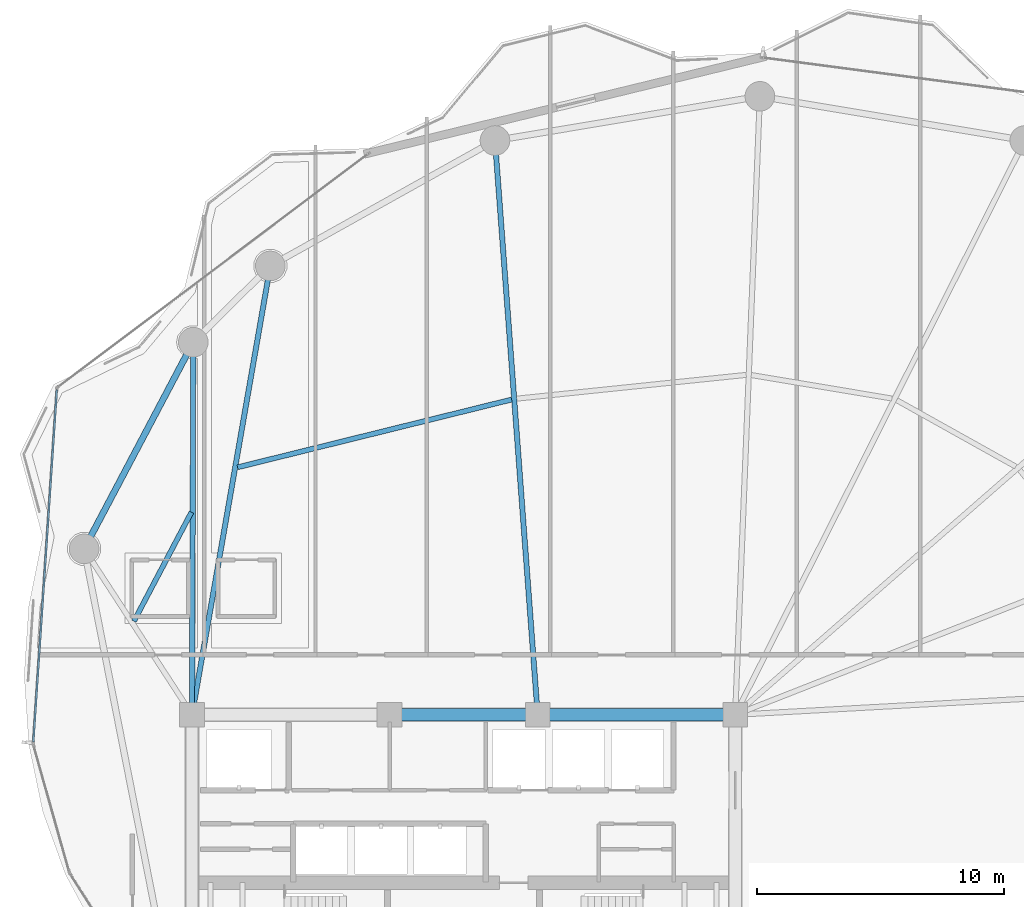
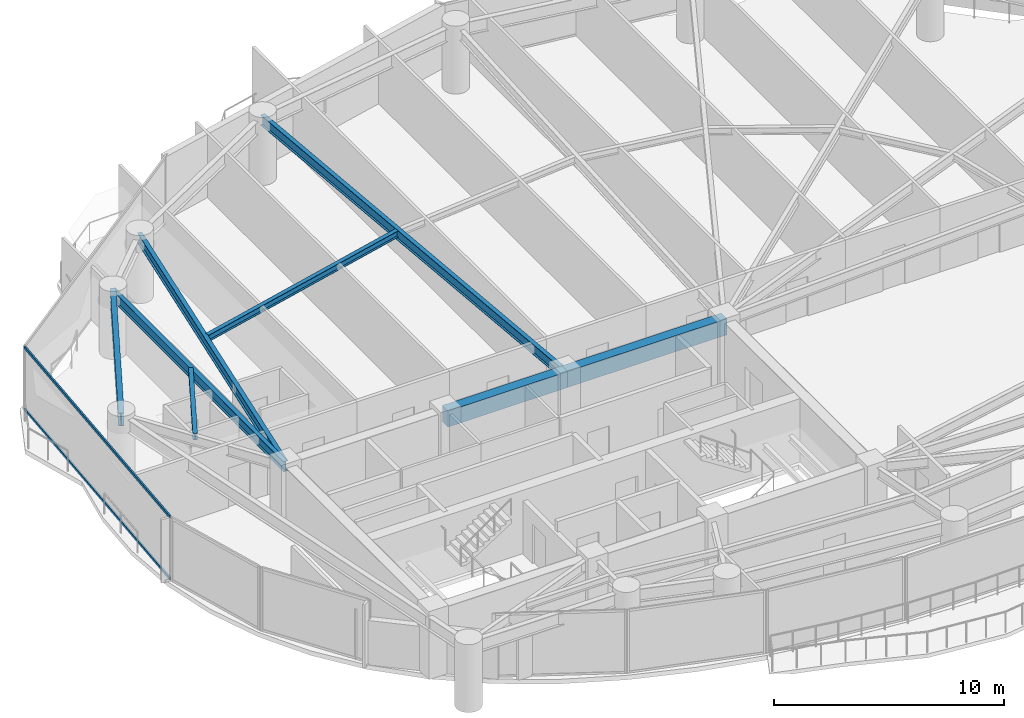
# One storey, part 8 of 30: 8 beams, 2 members, 1 element without a shape of its own.
"""IFC4 building model written with IfcOpenShell, lengths in metres."""

from ifc_helpers import new_model, si_unit, direction, frame, origin, origin_2d, place, context, subcontext, project, spatial, rectangle, hollow_rectangle, i_section, extrude, material, layer, layer_set, material_profile, profile_set, type_object, element, aggregate, save


model = new_model("IFC4")

# Units and contexts
model_context = context("Model", 3, precision=1e-05, world=origin(), true_north=direction((0.0, 1.0)))
body_context = subcontext(model_context, "Body", "Model", "MODEL_VIEW")
ifc_project = project(units=[si_unit("LENGTHUNIT", "METRE"), si_unit("AREAUNIT", "SQUARE_METRE"), si_unit("VOLUMEUNIT", "CUBIC_METRE"), si_unit("PLANEANGLEUNIT", "RADIAN"), si_unit("MASSUNIT", "GRAM", prefix="KILO")], contexts=[model_context])

# Site, building, storey
site_placement = place(None, origin())
site = spatial("IfcSite", under=ifc_project, at=site_placement, CompositionType="ELEMENT")
building_placement = place(site_placement, origin())
building = spatial("IfcBuilding", under=site, at=building_placement, Name="Kazevale Care Tower and Concert Hall", CompositionType="ELEMENT")
storey_placement = place(building_placement, frame((0.0, 0.0, 131.39990234375)))
storey = spatial("IfcBuildingStorey", under=building, at=storey_placement, Name="L34", CompositionType="ELEMENT", Elevation=131.39990234375)

# Curtain wall, members
ifc_material_1 = material(Name="Aluminium 6063-T6 and Low-E Glass", Category="aluminium")
ifc_layer = layer(ifc_material_1, 0.179931640625)
ifc_layer_set = layer_set([ifc_layer], Name="Aluminium 6063-T6 and Low-E Glass")
curtain_wall_type = type_object("IfcCurtainWallType", Name="Waist & Upper Residential Curtain Wall CW-4", PredefinedType="NOTDEFINED", material=ifc_layer_set)
curtain_wall_placement = place(storey_placement, origin())
curtain_wall = element("IfcCurtainWall", 1, at=curtain_wall_placement, inside=storey, type_object=curtain_wall_type, Name="cw:L34:f13", PredefinedType="NOTDEFINED")
ifc_material_2 = material(Name="Aluminium 6063-T6", Category="aluminium")
ifc_material_profile_1 = material_profile(ifc_material_2, hollow_rectangle(XDim=0.080078125, YDim=0.139892578125, WallThickness=0.00390625, at=origin_2d()), Name="ALU80x140x4")
ifc_profile_set_1 = profile_set([ifc_material_profile_1], Name="Aluminium 6063-T6")
member_type = type_object("IfcMemberType", Name="CW-4 Transom ALU80x140x4", PredefinedType="USERDEFINED", material=ifc_profile_set_1)
member_1_placement = place(storey_placement, frame((15.5712890625, 35.3017578125, 0.0400390625), z_axis=(0.06662329491, 0.99777820009, 0.0), x_axis=(-0.99777820009, 0.06662329491, 0.0)))
member_1 = element("IfcMember", 2, at=member_1_placement, type_object=member_type, Name="CW-4 transom 1.1", ObjectType="TRANSOM", PredefinedType="USERDEFINED", context=body_context, shape_type="SweptSolid", body=[
    extrude(hollow_rectangle(XDim=0.080078125, YDim=0.139892578125, WallThickness=0.00390625, at=origin_2d()), origin(), (0.0, 0.0, 1.0), 14.295166015625),
])
member_2_placement = place(storey_placement, frame((15.5712890625, 35.3017578125, 3.320068359375), z_axis=(0.06662329491, 0.99777820009, 0.0), x_axis=(-0.99777820009, 0.06662329491, 0.0)))
member_2 = element("IfcMember", 3, at=member_2_placement, type_object=member_type, Name="CW-4 transom 1.2", ObjectType="TRANSOM", PredefinedType="USERDEFINED", context=body_context, shape_type="SweptSolid", body=[
    extrude(hollow_rectangle(XDim=0.080078125, YDim=0.139892578125, WallThickness=0.00390625, at=origin_2d()), origin(), (0.0, 0.0, 1.0), 14.295166015625),
])
aggregate(curtain_wall, [member_1, member_2])

# Beams
ifc_material_3 = material(Name="Concrete C60", Category="concrete")
ifc_material_profile_2 = material_profile(ifc_material_3, rectangle(XDim=0.5, YDim=0.85009765625, at=origin_2d()), Name="RC-B500x850")
ifc_profile_set_2 = profile_set([ifc_material_profile_2], Name="Concrete C60")
beam_type_1 = type_object("IfcBeamType", Name="Core Coupling Beam RC500x850", PredefinedType="LINTEL", material=ifc_profile_set_2)
beam_1_placement = place(storey_placement, frame((44.0, 36.39990234375, 2.93505859375), z_axis=(-1.0, 0.0, 0.0), x_axis=(0.0, -1.0, 0.0)))
element("IfcBeam", 4, at=beam_1_placement, inside=storey, type_object=beam_type_1, Name="beam:L34:coretie:5", PredefinedType="LINTEL", context=body_context, shape_type="SweptSolid", body=[
    extrude(rectangle(XDim=0.5, YDim=0.85009765625, at=origin_2d()), origin(), (0.0, 0.0, 1.0), 8.0),
])
beam_2_placement = place(storey_placement, frame((36.0, 36.39990234375, 2.93505859375), z_axis=(-1.0, 0.0, 0.0), x_axis=(0.0, -1.0, 0.0)))
element("IfcBeam", 5, at=beam_2_placement, inside=storey, type_object=beam_type_1, Name="beam:L34:coretie:6", PredefinedType="LINTEL", context=body_context, shape_type="SweptSolid", body=[
    extrude(rectangle(XDim=0.5, YDim=0.85009765625, at=origin_2d()), origin(), (0.0, 0.0, 1.0), 6.0),
])
ifc_material_4 = material(Name="Steel ASTM A572 Gr 50", Category="steel")
ifc_material_profile_3 = material_profile(ifc_material_4, i_section(OverallWidth=0.2119140625, OverallDepth=0.5439453125, WebThickness=0.01318359375, FlangeThickness=0.021240234375, at=origin_2d()), Name="W530x123")
ifc_profile_set_3 = profile_set([ifc_material_profile_3], Name="Steel ASTM A572 Gr 50")
beam_type_2 = type_object("IfcBeamType", Name="Radial Floor Girder W530x123", PredefinedType="BEAM", material=ifc_profile_set_3)
beam_3_placement = place(storey_placement, frame((36.0, 36.39990234375, 3.088134765625), z_axis=(-0.074170876808, 0.997245547011, 0.0), x_axis=(-0.997245547011, -0.074170876808, 0.0)))
element("IfcBeam", 6, at=beam_3_placement, inside=storey, type_object=beam_type_2, Name="beam:L34:rad:06", PredefinedType="BEAM", context=body_context, shape_type="SweptSolid", body=[
    extrude(i_section(OverallWidth=0.2119140625, OverallDepth=0.5439453125, WebThickness=0.01318359375, FlangeThickness=0.021240234375, at=origin_2d()), origin(), (0.0, 0.0, 1.0), 23.32421875),
])
beam_4_placement = place(storey_placement, frame((22.0, 36.39990234375, 3.088134765625), z_axis=(0.171769935245, 0.985137091651, 0.0), x_axis=(-0.985137091651, 0.171769935245, 0.0)))
element("IfcBeam", 7, at=beam_4_placement, inside=storey, type_object=beam_type_2, Name="beam:L34:rad:07", PredefinedType="BEAM", context=body_context, shape_type="SweptSolid", body=[
    extrude(i_section(OverallWidth=0.2119140625, OverallDepth=0.5439453125, WebThickness=0.01318359375, FlangeThickness=0.021240234375, at=origin_2d()), origin(), (0.0, 0.0, 1.0), 18.454345703125),
])
beam_5_placement = place(storey_placement, frame((22.0, 36.39990234375, 3.088134765625), z_axis=(0.003316650851, 0.999994499898, 0.0), x_axis=(-0.999994499898, 0.003316650851, 0.0)))
element("IfcBeam", 8, at=beam_5_placement, inside=storey, type_object=beam_type_2, Name="beam:L34:rad:08", PredefinedType="BEAM", context=body_context, shape_type="SweptSolid", body=[
    extrude(i_section(OverallWidth=0.2119140625, OverallDepth=0.5439453125, WebThickness=0.01318359375, FlangeThickness=0.021240234375, at=origin_2d()), origin(), (0.0, 0.0, 1.0), 15.090087890625),
])
ifc_material_profile_4 = material_profile(ifc_material_4, i_section(OverallWidth=0.205078125, OverallDepth=0.35400390625, WebThickness=0.009521484375, FlangeThickness=0.016845703125, at=origin_2d()), Name="W360x79")
ifc_profile_set_4 = profile_set([ifc_material_profile_4], Name="Steel ASTM A572 Gr 50")
beam_type_3 = type_object("IfcBeamType", Name="Secondary Floor Joist W360x79", PredefinedType="JOIST", material=ifc_profile_set_4)
beam_6_placement = place(storey_placement, frame((34.947021484375, 49.16796875, 3.18310546875), z_axis=(-0.970789504014, -0.239932779954, 0.0), x_axis=(0.239932779954, -0.970789504014, 0.0)))
element("IfcBeam", 9, at=beam_6_placement, inside=storey, type_object=beam_type_3, Name="beam:L34:joist:06", PredefinedType="JOIST", context=body_context, shape_type="SweptSolid", body=[
    extrude(i_section(OverallWidth=0.205078125, OverallDepth=0.35400390625, WebThickness=0.009521484375, FlangeThickness=0.016845703125, at=origin_2d()), origin(), (0.0, 0.0, 1.0), 11.43603515625),
])
beam_7_placement = place(storey_placement, frame((21.97802734375, 44.60693359375, 3.18310546875), z_axis=(-0.466809583155, -0.884357853515, 0.0), x_axis=(0.884357853515, -0.466809583155, 0.0)))
element("IfcBeam", 10, at=beam_7_placement, inside=storey, type_object=beam_type_3, Name="beam:L34:joist:08", PredefinedType="JOIST", context=body_context, shape_type="SweptSolid", body=[
    extrude(i_section(OverallWidth=0.205078125, OverallDepth=0.35400390625, WebThickness=0.009521484375, FlangeThickness=0.016845703125, at=origin_2d()), origin(), (0.0, 0.0, 1.0), 4.99560546875),
])
ifc_material_profile_5 = material_profile(ifc_material_4, i_section(OverallWidth=0.256103515625, OverallDepth=0.693115234375, WebThickness=0.014404296875, FlangeThickness=0.023681640625, at=origin_2d()), Name="W690x170")
ifc_profile_set_5 = profile_set([ifc_material_profile_5], Name="Steel ASTM A572 Gr 50")
beam_type_4 = type_object("IfcBeamType", Name="Waist Ring Beam W690x170", PredefinedType="BEAM", material=ifc_profile_set_5)
beam_8_placement = place(storey_placement, frame((22.050048828125, 51.489990234375, 3.013671875), z_axis=(-0.466984438127, -0.884265533959, 0.0), x_axis=(0.884265533959, -0.466984438127, 0.0)))
element("IfcBeam", 11, at=beam_8_placement, inside=storey, type_object=beam_type_4, Name="beam:L34:ring:08", PredefinedType="BEAM", context=body_context, shape_type="SweptSolid", body=[
    extrude(i_section(OverallWidth=0.256103515625, OverallDepth=0.693115234375, WebThickness=0.014404296875, FlangeThickness=0.023681640625, at=origin_2d()), origin(), (0.0, 0.0, 1.0), 9.46533203125),
])

save(model, "model.ifc")
